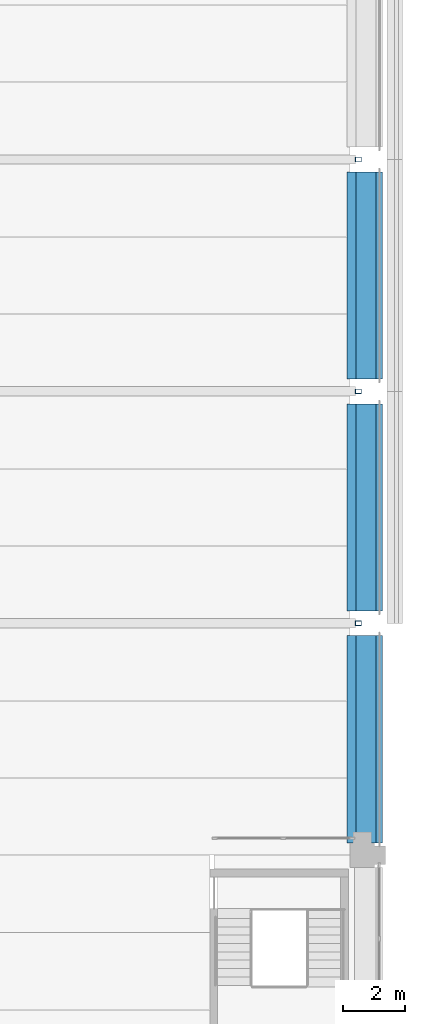
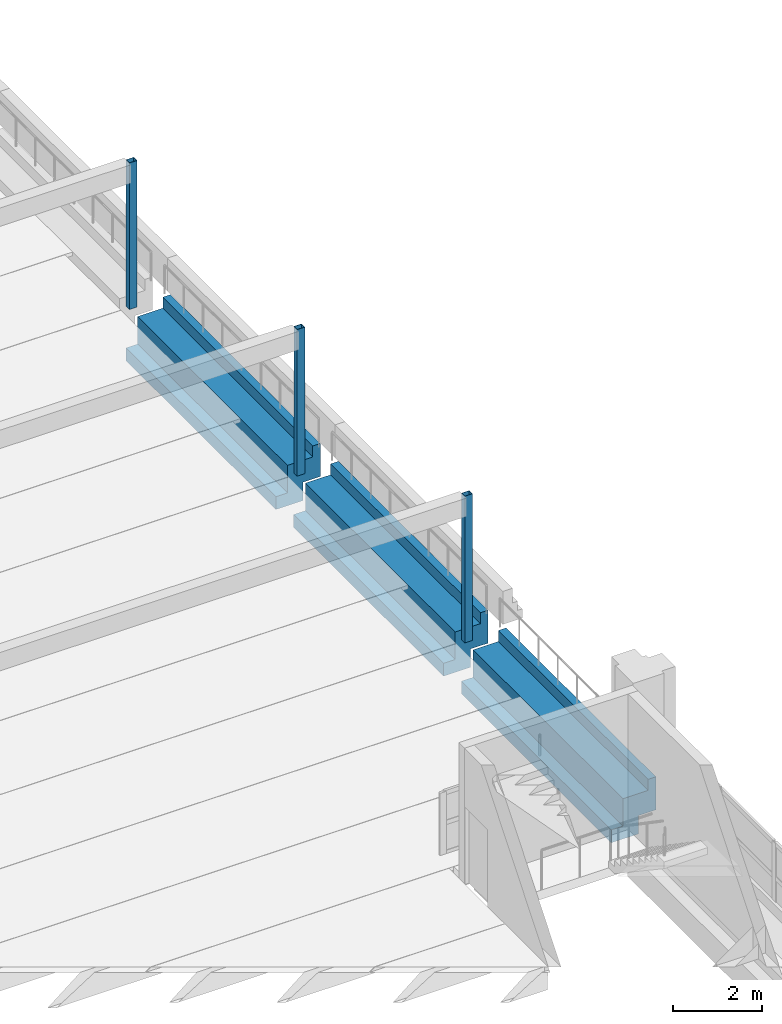
# One storey, part 30 of 62: 3 beams, 3 members.
"""IFC4 building model written with IfcOpenShell, lengths in metres."""

from ifc_helpers import new_model, si_unit, direction, frame, origin, origin_2d, place, context, subcontext, project, spatial, polyline, hollow_rectangle, outline, extrude, material, material_profile, profile_set, type_object, element, save


model = new_model("IFC4")

# Units and contexts
model_context = context("Model", 3, precision=1e-05, world=origin(), true_north=direction((0.0, 1.0)))
body_context = subcontext(model_context, "Body", "Model", "MODEL_VIEW")
ifc_project = project(units=[si_unit("LENGTHUNIT", "METRE"), si_unit("AREAUNIT", "SQUARE_METRE"), si_unit("VOLUMEUNIT", "CUBIC_METRE"), si_unit("PLANEANGLEUNIT", "RADIAN"), si_unit("MASSUNIT", "GRAM", prefix="KILO")], contexts=[model_context])

# Site, building, storey
site_placement = place(None, origin())
site = spatial("IfcSite", under=ifc_project, at=site_placement, CompositionType="ELEMENT")
building_placement = place(site_placement, origin())
building = spatial("IfcBuilding", under=site, at=building_placement, Name="Cour d'Honneur Mobility Palace", CompositionType="ELEMENT")
storey_placement = place(building_placement, frame((0.0, 0.0, 19.300048828125)))
storey = spatial("IfcBuildingStorey", under=building, at=storey_placement, Name="L05", CompositionType="ELEMENT", Elevation=19.300048828125)

# Beams
ifc_material_1 = material(Name="Concrete C45", Category="concrete")
ifc_material_profile_1 = material_profile(ifc_material_1, outline(polyline([(0.5, -1.10009765625), (0.5, -0.75), (0.199951171875, -0.75), (0.199951171875, 0.0), (-0.199951171875, 0.0), (-0.449951171875, 0.0), (-0.449951171875, 0.300048828125), (-0.64990234375, 0.300048828125), (-0.64990234375, -0.60009765625), (-0.199951171875, -0.60009765625), (-0.199951171875, -1.10009765625), (0.5, -1.10009765625)])), Name="Ledger Beam 400x1100 ledge left 350 facade right")
ifc_profile_set_1 = profile_set([ifc_material_profile_1], Name="Concrete C45")
beam_type = type_object("IfcBeamType", Name="Ledger Beam 400x1100 ledge left 350 facade right", PredefinedType="BEAM", material=ifc_profile_set_1)
for number, where, z_axis, x_axis, name in (
    (1, (162.300048828125, 62.800048828125, 0.0), (0.0, 1.0, 0.0), (-1.0, 0.0, 0.0), "Precast beam B2 H-J L05"),
    (2, (162.300048828125, 70.300048828125, 0.0), (0.0, 1.0, 0.0), (-1.0, 0.0, 0.0), "Precast beam B2 J-K L05"),
    (3, (162.300048828125, 77.800048828125, 0.0), (0.0, 1.0, 0.0), (-1.0, 0.0, 0.0), "Precast beam B2 K-L L05"),
):
    element("IfcBeam", number, at=place(storey_placement, frame(where, z_axis=z_axis, x_axis=x_axis)), inside=storey, type_object=beam_type, Name=name, PredefinedType="BEAM", context=body_context, shape_type="SweptSolid", body=[
        extrude(outline(polyline([(0.5, -1.10009765625), (0.5, -0.75), (0.199951171875, -0.75), (0.199951171875, 0.0), (-0.199951171875, 0.0), (-0.449951171875, 0.0), (-0.449951171875, 0.300048828125), (-0.64990234375, 0.300048828125), (-0.64990234375, -0.60009765625), (-0.199951171875, -0.60009765625), (-0.199951171875, -1.10009765625), (0.5, -1.10009765625)])), origin(), (0.0, 0.0, 1.0), 6.699951171875),
    ])

# Members
ifc_material_2 = material(Name="Steel S355", Category="steel")
ifc_material_profile_2 = material_profile(ifc_material_2, hollow_rectangle(XDim=0.14990234375, YDim=0.199951171875, WallThickness=0.008056640625, at=origin_2d()), Name="RHS 200x150x8")
ifc_profile_set_2 = profile_set([ifc_material_profile_2], Name="Steel S355")
member_type = type_object("IfcMemberType", Name="Terrace post RHS 200x150x8", PredefinedType="POST", material=ifc_profile_set_2)
for number, where, z_axis, x_axis, name in (
    (4, (162.175048828125, 69.89990234375, 0.0), (0.0, 0.0, 1.0), (0.0, 1.0, 0.0), "Terrace post TP-S1E"),
    (5, (162.175048828125, 77.39990234375, 0.0), (0.0, 0.0, 1.0), (0.0, 1.0, 0.0), "Terrace post TP-S2E"),
    (6, (162.175048828125, 84.89990234375, 0.0), (0.0, 0.0, 1.0), (0.0, 1.0, 0.0), "Terrace post TP-S3E"),
):
    element("IfcMember", number, at=place(storey_placement, frame(where, z_axis=z_axis, x_axis=x_axis)), inside=storey, type_object=member_type, Name=name, PredefinedType="POST", context=body_context, shape_type="SweptSolid", body=[
        extrude(hollow_rectangle(XDim=0.14990234375, YDim=0.199951171875, WallThickness=0.008056640625, at=origin_2d()), origin(), (0.0, 0.0, 1.0), 4.0),
    ])

save(model, "model.ifc")
